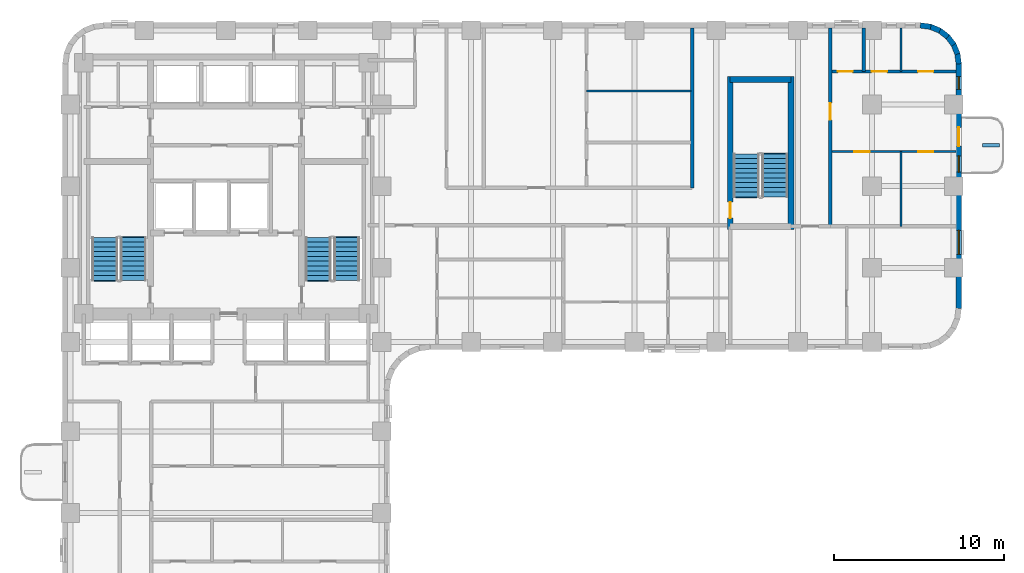
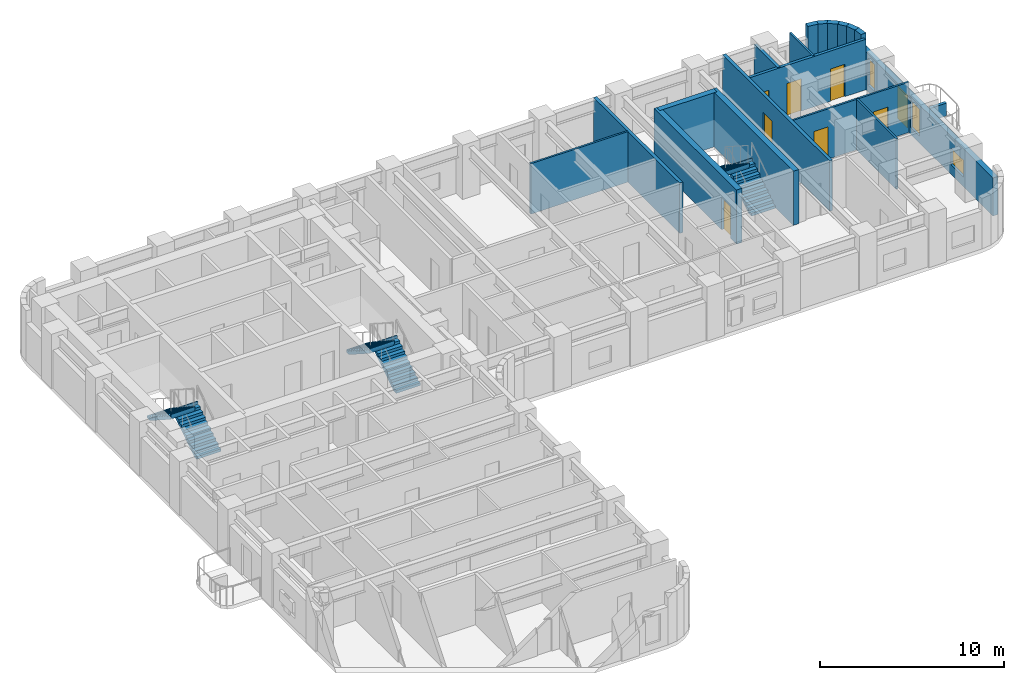
# One storey, part 7 of 10: 19 walls, 8 doors, 6 stair flights, 3 windows, 11 openings, 3 elements without a shape of their own.
"""IFC4 building model written with IfcOpenShell, lengths in metres."""

from ifc_helpers import new_model, si_unit, direction, frame, frame_2d, origin, place, context, subcontext, project, spatial, polyline, rectangle, outline, extrude, material, layer, layer_set, type_object, element, fill, aggregate, save


model = new_model("IFC4")

# Units and contexts
model_context = context("Model", 3, precision=1e-05, world=origin(), true_north=direction((0.0, 1.0)))
body_context = subcontext(model_context, "Body", "Model", "MODEL_VIEW")
ifc_project = project(units=[si_unit("LENGTHUNIT", "METRE"), si_unit("AREAUNIT", "SQUARE_METRE"), si_unit("VOLUMEUNIT", "CUBIC_METRE"), si_unit("PLANEANGLEUNIT", "RADIAN"), si_unit("MASSUNIT", "GRAM", prefix="KILO")], contexts=[model_context])

# Site, building, storey
site_placement = place(None, origin())
site = spatial("IfcSite", under=ifc_project, at=site_placement, CompositionType="ELEMENT")
building_placement = place(site_placement, origin())
building = spatial("IfcBuilding", under=site, at=building_placement, Name="Orvandelia Arch Residences", CompositionType="ELEMENT")
storey_placement = place(building_placement, frame((0.0, 0.0, 75.39990234375)))
storey = spatial("IfcBuildingStorey", under=building, at=storey_placement, Name="L19", CompositionType="ELEMENT", Elevation=75.39990234375)

# Wall, opening, door
ifc_material_1 = material(Name="Concrete C50/60", Category="concrete")
ifc_layer_1 = layer(ifc_material_1, 0.35009765625, Name="Concrete C50/60", Category="concrete")
ifc_layer_set_1 = layer_set([ifc_layer_1], Name="Concrete C50/60")
wall_type_1 = type_object("IfcWallType", Name="WL-CORE-350", PredefinedType="SHEAR", material=ifc_layer_set_1)
wall_1_placement = place(storey_placement, frame((44.02001953125, 35.864990234375, 0.0), z_axis=(0.0, 0.0, 1.0), x_axis=(0.0, 1.0, 0.0)))
wall_1 = element("IfcWall", 1, at=wall_1_placement, inside=storey, type_object=wall_type_1, Name="East Stair Core Shear Wall L19-W", PredefinedType="SHEAR", context=body_context, shape_type="SweptSolid", body=[
    extrude(rectangle(XDim=8.969970703125, YDim=0.35009765625, at=frame_2d((4.48486328125, 0.0))), origin(), (0.0, 0.0, 1.0), 3.60009765625),
])
opening_1_placement = place(wall_1_placement, frame((0.64990234375, 0.0, 0.0)))
opening_1 = element("IfcOpeningElement", 2, at=opening_1_placement, cuts=wall_1, Name="Opening D7", PredefinedType="OPENING", context=body_context, shape_type="SweptSolid", body=[
    extrude(rectangle(XDim=0.949951171875, YDim=2.10009765625, at=frame_2d((0.47509765625, 1.050048828125))), frame((0.0, 0.18505859375, 0.0), z_axis=(0.0, -1.0, 0.0), x_axis=(1.0, 0.0, 0.0)), (0.0, 0.0, 1.0), 0.3701171875),
])
ifc_material_2 = material(Name="Pressurised Stairwell Fire Door")
door_type_1 = type_object("IfcDoorType", Name="DR-STAIR-950", OperationType="NOTDEFINED", PredefinedType="DOOR", material=ifc_material_2)
door_1_placement = place(opening_1_placement, origin())
door_1 = element("IfcDoor", 3, at=door_1_placement, inside=storey, type_object=door_type_1, Name="East Stairwell ST-3 Fire Door L19", OperationType="SINGLE_SWING_LEFT", OverallHeight=2.10009765625, OverallWidth=0.949951171875, PredefinedType="DOOR", context=body_context, shape_type="SweptSolid", body=[
    extrude(rectangle(XDim=0.949951171875, YDim=2.10009765625, at=frame_2d((0.47509765625, 1.050048828125))), frame((0.0, 0.02490234375, 0.0), z_axis=(0.0, -1.0, 0.0), x_axis=(1.0, 0.0, 0.0)), (0.0, 0.0, 1.0), 0.050048828125),
])
fill(opening_1, door_1)

# Walls
wall_2_placement = place(storey_placement, frame((47.60009765625, 35.864990234375, 0.0), z_axis=(0.0, 0.0, 1.0), x_axis=(0.0, 1.0, 0.0)))
element("IfcWall", 4, at=wall_2_placement, inside=storey, type_object=wall_type_1, Name="East Stair Core Shear Wall L19-E", PredefinedType="SHEAR", context=body_context, shape_type="SweptSolid", body=[
    extrude(rectangle(XDim=8.969970703125, YDim=0.35009765625, at=frame_2d((4.48486328125, 0.0))), origin(), (0.0, 0.0, 1.0), 3.60009765625),
])
wall_3_placement = place(storey_placement, frame((44.02001953125, 44.659912109375, 0.0), z_axis=(0.0, 0.0, 1.0), x_axis=(1.0, 0.0, 0.0)))
element("IfcWall", 5, at=wall_3_placement, inside=storey, type_object=wall_type_1, Name="East Stair Core Shear Wall L19-N", PredefinedType="SHEAR", context=body_context, shape_type="SweptSolid", body=[
    extrude(rectangle(XDim=3.580078125, YDim=0.35009765625, at=frame_2d((1.7900390625, 0.0))), origin(), (0.0, 0.0, 1.0), 3.60009765625),
])
ifc_material_3 = material(Name="Fire-Rated Corridor Partition")
ifc_layer_2 = layer(ifc_material_3, 0.199951171875, Name="Fire-Rated Corridor Partition")
ifc_layer_set_2 = layer_set([ifc_layer_2], Name="Fire-Rated Corridor Partition")
wall_type_2 = type_object("IfcWallType", Name="WL-CORR-200", PredefinedType="PARTITIONING", material=ifc_layer_set_2)
wall_4_placement = place(storey_placement, frame((41.780029296875, 38.300048828125, 0.0), z_axis=(0.0, 0.0, 1.0), x_axis=(0.0, 1.0, 0.0)))
element("IfcWall", 6, at=wall_4_placement, inside=storey, type_object=wall_type_2, Name="Interior Partition Wall WL-L19-ETV-W", PredefinedType="PARTITIONING", context=body_context, shape_type="SweptSolid", body=[
    extrude(rectangle(XDim=9.3798828125, YDim=0.199951171875, at=frame_2d((4.68994140625, 0.0))), origin(), (0.0, 0.0, 1.0), 3.35009765625),
])

# Wall, opening, door
wall_5_placement = place(storey_placement, frame((49.89990234375, 36.0400390625, 0.0), z_axis=(0.0, 0.0, 1.0), x_axis=(0.0, 1.0, 0.0)))
wall_5 = element("IfcWall", 7, at=wall_5_placement, inside=storey, type_object=wall_type_2, Name="Interior Partition Wall WL-L19-ETE-E", PredefinedType="PARTITIONING", context=body_context, shape_type="SweptSolid", body=[
    extrude(rectangle(XDim=11.639892578125, YDim=0.199951171875, at=frame_2d((5.81982421875, 0.0))), origin(), (0.0, 0.0, 1.0), 3.35009765625),
])
opening_2_placement = place(wall_5_placement, frame((6.25146484375, 0.0, 0.0)))
opening_2 = element("IfcOpeningElement", 8, at=opening_2_placement, cuts=wall_5, Name="Opening D1", PredefinedType="OPENING", context=body_context, shape_type="SweptSolid", body=[
    extrude(rectangle(XDim=0.97998046875, YDim=2.179931640625, at=frame_2d((0.489990234375, 1.08984375))), frame((0.0, 0.10986328125, 0.0), z_axis=(0.0, -1.0, 0.0), x_axis=(1.0, 0.0, 0.0)), (0.0, 0.0, 1.0), 0.219970703125),
])
ifc_material_4 = material(Name="Solid-Core Timber Acoustic Fire Door", Category="wood")
door_type_2 = type_object("IfcDoorType", Name="DR-ENT-980", OperationType="NOTDEFINED", PredefinedType="DOOR", material=ifc_material_4)
door_2_placement = place(opening_2_placement, origin())
door_2 = element("IfcDoor", 9, at=door_2_placement, inside=storey, type_object=door_type_2, Name="Unit L19-07 Entrance Door", OperationType="SINGLE_SWING_LEFT", OverallHeight=2.179931640625, OverallWidth=0.97998046875, PredefinedType="DOOR", context=body_context, shape_type="SweptSolid", body=[
    extrude(rectangle(XDim=0.97998046875, YDim=2.179931640625, at=frame_2d((0.489990234375, 1.08984375))), frame((0.0, 0.02490234375, 0.0), z_axis=(0.0, -1.0, 0.0), x_axis=(1.0, 0.0, 0.0)), (0.0, 0.0, 1.0), 0.050048828125),
])
fill(opening_2, door_2)

# Walls
ifc_material_5 = material(Name="Precast concrete C40/50", Category="concrete")
ifc_layer_3 = layer(ifc_material_5, 0.320068359375, Name="Precast concrete C40/50", Category="concrete")
ifc_layer_set_3 = layer_set([ifc_layer_3], Name="Precast concrete C40/50")
wall_type_3 = type_object("IfcWallType", Name="WL-EXT-STONE-320", PredefinedType="STANDARD", material=ifc_layer_set_3)
for number, where, z_axis, x_axis, name in (
    (10, (55.17919921875, 47.84130859375, 0.0), (0.0, 0.0, 1.0), (0.9914410257, -0.130555323746, 0.0), "Coral-Limestone Precast Facade Wall L19-008"),
    (11, (55.760009765625, 47.7705078125, 0.0), (0.0, 0.0, 1.0), (0.92389335771, -0.382650053678, 0.0), "Coral-Limestone Precast Facade Wall L19-009"),
):
    element("IfcWall", number, at=place(storey_placement, frame(where, z_axis=z_axis, x_axis=x_axis)), inside=storey, type_object=wall_type_3, Name=name, PredefinedType="STANDARD", context=body_context, shape_type="SweptSolid", body=[
        extrude(rectangle(XDim=0.62646484375, YDim=0.320068359375, at=frame_2d((0.313232421875, 0.0))), origin(), (0.0, 0.0, 1.0), 3.35009765625),
    ])
wall_6_placement = place(storey_placement, frame((56.302490234375, 47.551513671875, 0.0), z_axis=(0.0, 0.0, 1.0), x_axis=(0.793549926411, -0.608505147302, 0.0)))
element("IfcWall", 12, at=wall_6_placement, inside=storey, type_object=wall_type_3, Name="Coral-Limestone Precast Facade Wall L19-010", PredefinedType="STANDARD", context=body_context, shape_type="SweptSolid", body=[
    extrude(rectangle(XDim=0.626708984375, YDim=0.320068359375, at=frame_2d((0.3134765625, 0.0))), origin(), (0.0, 0.0, 1.0), 3.35009765625),
])
for number, where, z_axis, x_axis, name in (
    (13, (56.770263671875, 47.19970703125, 0.0), (0.0, 0.0, 1.0), (0.608693302629, -0.793405610854, 0.0), "Coral-Limestone Precast Facade Wall L19-011"),
    (14, (57.130615234375, 46.73876953125, 0.0), (0.0, 0.0, 1.0), (0.382650053678, -0.92389335771, 0.0), "Coral-Limestone Precast Facade Wall L19-012"),
    (15, (57.359619140625, 46.2001953125, 0.0), (0.0, 0.0, 1.0), (0.130555323746, -0.9914410257, 0.0), "Coral-Limestone Precast Facade Wall L19-013"),
):
    element("IfcWall", number, at=place(storey_placement, frame(where, z_axis=z_axis, x_axis=x_axis)), inside=storey, type_object=wall_type_3, Name=name, PredefinedType="STANDARD", context=body_context, shape_type="SweptSolid", body=[
        extrude(rectangle(XDim=0.62646484375, YDim=0.320068359375, at=frame_2d((0.313232421875, 0.0))), origin(), (0.0, 0.0, 1.0), 3.35009765625),
    ])

# Wall, openings, door, windows
wall_7_placement = place(storey_placement, frame((57.43994140625, 45.60009765625, 0.0), z_axis=(0.0, 0.0, 1.0), x_axis=(0.0, -1.0, 0.0)))
wall_7 = element("IfcWall", 16, at=wall_7_placement, inside=storey, type_object=wall_type_3, Name="Coral-Limestone Precast Facade Wall L19-014", PredefinedType="STANDARD", context=body_context, shape_type="SweptSolid", body=[
    extrude(rectangle(XDim=14.400146484375, YDim=0.320068359375, at=frame_2d((7.2001953125, 0.0))), origin(), (0.0, 0.0, 1.0), 2.530029296875),
])
opening_3_placement = place(wall_7_placement, frame((3.75, 0.0, 0.0)))
opening_3 = element("IfcOpeningElement", 17, at=opening_3_placement, cuts=wall_7, Name="Opening BD1", PredefinedType="OPENING", context=body_context, shape_type="SweptSolid", body=[
    extrude(rectangle(XDim=1.10009765625, YDim=2.14990234375, at=frame_2d((0.550048828125, 1.074951171875))), frame((0.0, 0.169921875, 0.0), z_axis=(0.0, -1.0, 0.0), x_axis=(1.0, 0.0, 0.0)), (0.0, 0.0, 1.0), 0.340087890625),
])
opening_4_placement = place(wall_7_placement, frame((5.427978515625, 0.0, 0.449951171875)))
opening_4 = element("IfcOpeningElement", 18, at=opening_4_placement, cuts=wall_7, Name="Opening W4", PredefinedType="OPENING", context=body_context, shape_type="SweptSolid", body=[
    extrude(rectangle(XDim=0.949951171875, YDim=1.800048828125, at=frame_2d((0.47509765625, 0.89990234375))), frame((0.0, 0.169921875, 0.0), z_axis=(0.0, -1.0, 0.0), x_axis=(1.0, 0.0, 0.0)), (0.0, 0.0, 1.0), 0.340087890625),
])
opening_5_placement = place(wall_7_placement, frame((9.800048828125, 0.0, 0.64990234375)))
opening_5 = element("IfcOpeningElement", 19, at=opening_5_placement, cuts=wall_7, Name="Opening W10", PredefinedType="OPENING", context=body_context, shape_type="SweptSolid", body=[
    extrude(rectangle(XDim=1.39990234375, YDim=1.10009765625, at=frame_2d((0.699951171875, 0.550048828125))), frame((0.0, 0.169921875, 0.0), z_axis=(0.0, -1.0, 0.0), x_axis=(1.0, 0.0, 0.0)), (0.0, 0.0, 1.0), 0.340087890625),
])
opening_6_placement = place(wall_7_placement, frame((0.7705078125, 0.0, 0.449951171875)))
opening_6 = element("IfcOpeningElement", 20, at=opening_6_placement, cuts=wall_7, Name="Opening W11", PredefinedType="OPENING", context=body_context, shape_type="SweptSolid", body=[
    extrude(rectangle(XDim=0.75, YDim=1.800048828125, at=frame_2d((0.375, 0.89990234375))), frame((0.0, 0.169921875, 0.0), z_axis=(0.0, -1.0, 0.0), x_axis=(1.0, 0.0, 0.0)), (0.0, 0.0, 1.0), 0.340087890625),
])
ifc_material_6 = material(Name="Thermally Broken Aluminium Glazed Door", Category="aluminium")
door_type_3 = type_object("IfcDoorType", Name="DR-BAL-GLAZ-1100", OperationType="NOTDEFINED", PredefinedType="DOOR", material=ifc_material_6)
door_3_placement = place(opening_3_placement, origin())
door_3 = element("IfcDoor", 21, at=door_3_placement, inside=storey, type_object=door_type_3, Name="Tree Balcony Glazed Door BAL-L19-E1", OperationType="SINGLE_SWING_LEFT", OverallHeight=2.14990234375, OverallWidth=1.10009765625, PredefinedType="DOOR", context=body_context, shape_type="SweptSolid", body=[
    extrude(rectangle(XDim=1.10009765625, YDim=2.14990234375, at=frame_2d((0.550048828125, 1.074951171875))), frame((0.0, 0.02490234375, 0.0), z_axis=(0.0, -1.0, 0.0), x_axis=(1.0, 0.0, 0.0)), (0.0, 0.0, 1.0), 0.050048828125),
])
fill(opening_3, door_3)
ifc_material_7 = material(Name="Tempered Low-E Insulated Glazing", Category="glass")
window_type_1 = type_object("IfcWindowType", Name="WIN-BED-0750x1800", PartitioningType="SINGLE_PANEL", PredefinedType="WINDOW", material=ifc_material_7)
window_1_placement = place(opening_6_placement, origin())
window_1 = element("IfcWindow", 22, at=window_1_placement, inside=storey, type_object=window_type_1, Name="Recessed Punched Window L19-013", OverallHeight=1.800048828125, OverallWidth=0.75, PartitioningType="SINGLE_PANEL", PredefinedType="WINDOW", context=body_context, shape_type="SweptSolid", body=[
    extrude(rectangle(XDim=0.75, YDim=1.800048828125, at=frame_2d((0.375, 0.89990234375))), frame((0.0, 0.030029296875, 0.0), z_axis=(0.0, -1.0, 0.0), x_axis=(1.0, 0.0, 0.0)), (0.0, 0.0, 1.0), 0.06005859375),
])
fill(opening_6, window_1)
window_type_2 = type_object("IfcWindowType", Name="WIN-CLR-1400x1100", PartitioningType="SINGLE_PANEL", PredefinedType="WINDOW", material=ifc_material_7)
window_2_placement = place(opening_5_placement, origin())
window_2 = element("IfcWindow", 23, at=window_2_placement, inside=storey, type_object=window_type_2, Name="Recessed Punched Window L19-012", OverallHeight=1.10009765625, OverallWidth=1.39990234375, PartitioningType="SINGLE_PANEL", PredefinedType="WINDOW", context=body_context, shape_type="SweptSolid", body=[
    extrude(rectangle(XDim=1.39990234375, YDim=1.10009765625, at=frame_2d((0.699951171875, 0.550048828125))), frame((0.0, 0.030029296875, 0.0), z_axis=(0.0, -1.0, 0.0), x_axis=(1.0, 0.0, 0.0)), (0.0, 0.0, 1.0), 0.06005859375),
])
fill(opening_5, window_2)
window_type_3 = type_object("IfcWindowType", Name="WIN-RES-0950x1800", PartitioningType="SINGLE_PANEL", PredefinedType="WINDOW", material=ifc_material_7)
window_3_placement = place(opening_4_placement, origin())
window_3 = element("IfcWindow", 24, at=window_3_placement, inside=storey, type_object=window_type_3, Name="Recessed Punched Window L19-011", OverallHeight=1.800048828125, OverallWidth=0.949951171875, PartitioningType="SINGLE_PANEL", PredefinedType="WINDOW", context=body_context, shape_type="SweptSolid", body=[
    extrude(rectangle(XDim=0.949951171875, YDim=1.800048828125, at=frame_2d((0.47509765625, 0.89990234375))), frame((0.0, 0.030029296875, 0.0), z_axis=(0.0, -1.0, 0.0), x_axis=(1.0, 0.0, 0.0)), (0.0, 0.0, 1.0), 0.06005859375),
])
fill(opening_4, window_3)

# Wall
ifc_material_8 = material(Name="Lightweight Gypsum Stud Partition")
ifc_layer_4 = layer(ifc_material_8, 0.1201171875, Name="Lightweight Gypsum Stud Partition")
ifc_layer_set_4 = layer_set([ifc_layer_4], Name="Lightweight Gypsum Stud Partition")
wall_type_4 = type_object("IfcWallType", Name="WL-PART-120", PredefinedType="PARTITIONING", material=ifc_layer_set_4)
wall_8_placement = place(storey_placement, frame((35.576904296875, 43.99609375, 0.0), z_axis=(0.0, 0.0, 1.0), x_axis=(1.0, 0.0, 0.0)))
element("IfcWall", 25, at=wall_8_placement, inside=storey, type_object=wall_type_4, Name="Interior Partition Wall WL-L19-U06-H2", PredefinedType="PARTITIONING", context=body_context, shape_type="SweptSolid", body=[
    extrude(rectangle(XDim=6.123046875, YDim=0.1201171875, at=frame_2d((3.0615234375, 0.0))), origin(), (0.0, 0.0, 1.0), 3.35009765625),
])

# Wall, openings, doors
wall_9_placement = place(storey_placement, frame((50.0, 40.424072265625, 0.0), z_axis=(0.0, 0.0, 1.0), x_axis=(1.0, 0.0, 0.0)))
wall_9 = element("IfcWall", 26, at=wall_9_placement, inside=storey, type_object=wall_type_4, Name="Interior Partition Wall WL-L19-U07-HB", PredefinedType="PARTITIONING", context=body_context, shape_type="SweptSolid", body=[
    extrude(rectangle(XDim=7.280029296875, YDim=0.1201171875, at=frame_2d((3.64013671875, 0.0))), origin(), (0.0, 0.0, 1.0), 3.35009765625),
])
opening_7_placement = place(wall_9_placement, frame((1.30419921875, 0.0, 0.0)))
opening_7 = element("IfcOpeningElement", 27, at=opening_7_placement, cuts=wall_9, Name="Opening D3", PredefinedType="OPENING", context=body_context, shape_type="SweptSolid", body=[
    extrude(rectangle(XDim=0.89990234375, YDim=2.14990234375, at=frame_2d((0.449951171875, 1.074951171875))), frame((0.0, 0.070068359375, 0.0), z_axis=(0.0, -1.0, 0.0), x_axis=(1.0, 0.0, 0.0)), (0.0, 0.0, 1.0), 0.14013671875),
])
opening_8_placement = place(wall_9_placement, frame((5.056884765625, 0.0, 0.0)))
opening_8 = element("IfcOpeningElement", 28, at=opening_8_placement, cuts=wall_9, Name="Opening D3", PredefinedType="OPENING", context=body_context, shape_type="SweptSolid", body=[
    extrude(rectangle(XDim=0.89990234375, YDim=2.14990234375, at=frame_2d((0.449951171875, 1.074951171875))), frame((0.0, 0.070068359375, 0.0), z_axis=(0.0, -1.0, 0.0), x_axis=(1.0, 0.0, 0.0)), (0.0, 0.0, 1.0), 0.14013671875),
])
ifc_material_9 = material(Name="Engineered Timber Flush Door", Category="wood")
door_type_4 = type_object("IfcDoorType", Name="DR-INT-900", OperationType="NOTDEFINED", PredefinedType="DOOR", material=ifc_material_9)
door_4_placement = place(opening_7_placement, origin())
door_4 = element("IfcDoor", 29, at=door_4_placement, inside=storey, type_object=door_type_4, Name="DR-L19-U07-STDY", OperationType="SINGLE_SWING_LEFT", OverallHeight=2.14990234375, OverallWidth=0.89990234375, PredefinedType="DOOR", context=body_context, shape_type="SweptSolid", body=[
    extrude(rectangle(XDim=0.89990234375, YDim=2.14990234375, at=frame_2d((0.449951171875, 1.074951171875))), frame((0.0, 0.02490234375, 0.0), z_axis=(0.0, -1.0, 0.0), x_axis=(1.0, 0.0, 0.0)), (0.0, 0.0, 1.0), 0.050048828125),
])
fill(opening_7, door_4)
door_5_placement = place(opening_8_placement, origin())
door_5 = element("IfcDoor", 30, at=door_5_placement, inside=storey, type_object=door_type_4, Name="DR-L19-U07-BD2", OperationType="SINGLE_SWING_RIGHT", OverallHeight=2.14990234375, OverallWidth=0.89990234375, PredefinedType="DOOR", context=body_context, shape_type="SweptSolid", body=[
    extrude(rectangle(XDim=0.89990234375, YDim=2.14990234375, at=frame_2d((0.449951171875, 1.074951171875))), frame((0.0, 0.02490234375, 0.0), z_axis=(0.0, -1.0, 0.0), x_axis=(1.0, 0.0, 0.0)), (0.0, 0.0, 1.0), 0.050048828125),
])
fill(opening_8, door_5)

# Walls
wall_10_placement = place(storey_placement, frame((54.048095703125, 36.0400390625, 0.0), z_axis=(0.0, 0.0, 1.0), x_axis=(0.0, 1.0, 0.0)))
element("IfcWall", 31, at=wall_10_placement, inside=storey, type_object=wall_type_4, Name="Interior Partition Wall WL-L19-U07-VB", PredefinedType="PARTITIONING", context=body_context, shape_type="SweptSolid", body=[
    extrude(rectangle(XDim=4.384033203125, YDim=0.1201171875, at=frame_2d((2.19189453125, 0.0))), origin(), (0.0, 0.0, 1.0), 3.35009765625),
])
wall_11_placement = place(storey_placement, frame((54.048095703125, 45.138916015625, 0.0), z_axis=(0.0, 0.0, 1.0), x_axis=(0.0, 1.0, 0.0)))
element("IfcWall", 32, at=wall_11_placement, inside=storey, type_object=wall_type_4, Name="Interior Partition Wall WL-L19-U07-V2", PredefinedType="PARTITIONING", context=body_context, shape_type="SweptSolid", body=[
    extrude(rectangle(XDim=2.541015625, YDim=0.1201171875, at=frame_2d((1.2705078125, 0.0))), origin(), (0.0, 0.0, 1.0), 3.35009765625),
])
ifc_layer_5 = layer(ifc_material_5, 0.199951171875, Name="Precast concrete C40/50", Category="concrete")
ifc_layer_set_5 = layer_set([ifc_layer_5], Name="Precast concrete C40/50")
wall_type_5 = type_object("IfcWallType", Name="WL-PLANTER-200", PredefinedType="MOVABLE", material=ifc_layer_set_5)
wall_12_placement = place(storey_placement, frame((58.85009765625, 40.800048828125, 0.0), z_axis=(0.0, 0.0, 1.0), x_axis=(1.0, 0.0, 0.0)))
element("IfcWall", 33, at=wall_12_placement, inside=storey, type_object=wall_type_5, Name="Balcony Precast Tree Planter BAL-L19-E1", PredefinedType="MOVABLE", context=body_context, shape_type="SweptSolid", body=[
    extrude(rectangle(XDim=1.0, YDim=0.199951171875, at=frame_2d((0.5, 0.0))), origin(), (0.0, 0.0, 1.0), 0.85009765625),
])

# Wall, openings, doors
ifc_material_10 = material(Name="Moisture-Resistant Plumbing Wall")
ifc_layer_6 = layer(ifc_material_10, 0.179931640625, Name="Moisture-Resistant Plumbing Wall")
ifc_layer_set_6 = layer_set([ifc_layer_6], Name="Moisture-Resistant Plumbing Wall")
wall_type_6 = type_object("IfcWallType", Name="WL-WET-180", PredefinedType="PLUMBINGWALL", material=ifc_layer_set_6)
wall_13_placement = place(storey_placement, frame((50.0, 45.138916015625, 0.0), z_axis=(0.0, 0.0, 1.0), x_axis=(1.0, 0.0, 0.0)))
wall_13 = element("IfcWall", 34, at=wall_13_placement, inside=storey, type_object=wall_type_6, Name="Interior Partition Wall WL-L19-U07-HZ", PredefinedType="PLUMBINGWALL", context=body_context, shape_type="SweptSolid", body=[
    extrude(rectangle(XDim=7.280029296875, YDim=0.179931640625, at=frame_2d((3.64013671875, 0.0))), origin(), (0.0, 0.0, 1.0), 3.35009765625),
])
opening_9_placement = place(wall_13_placement, frame((0.343017578125, 0.0, 0.0)))
opening_9 = element("IfcOpeningElement", 35, at=opening_9_placement, cuts=wall_13, Name="Opening D4", PredefinedType="OPENING", context=body_context, shape_type="SweptSolid", body=[
    extrude(rectangle(XDim=0.860107421875, YDim=2.10009765625, at=frame_2d((0.43017578125, 1.050048828125))), frame((0.0, 0.10009765625, 0.0), z_axis=(0.0, -1.0, 0.0), x_axis=(1.0, 0.0, 0.0)), (0.0, 0.0, 1.0), 0.199951171875),
])
opening_10_placement = place(wall_13_placement, frame((2.328125, 0.0, 0.0)))
opening_10 = element("IfcOpeningElement", 36, at=opening_10_placement, cuts=wall_13, Name="Opening D3", PredefinedType="OPENING", context=body_context, shape_type="SweptSolid", body=[
    extrude(rectangle(XDim=0.89990234375, YDim=2.14990234375, at=frame_2d((0.449951171875, 1.074951171875))), frame((0.0, 0.10009765625, 0.0), z_axis=(0.0, -1.0, 0.0), x_axis=(1.0, 0.0, 0.0)), (0.0, 0.0, 1.0), 0.199951171875),
])
opening_11_placement = place(wall_13_placement, frame((5.056884765625, 0.0, 0.0)))
opening_11 = element("IfcOpeningElement", 37, at=opening_11_placement, cuts=wall_13, Name="Opening D3", PredefinedType="OPENING", context=body_context, shape_type="SweptSolid", body=[
    extrude(rectangle(XDim=0.89990234375, YDim=2.14990234375, at=frame_2d((0.449951171875, 1.074951171875))), frame((0.0, 0.10009765625, 0.0), z_axis=(0.0, -1.0, 0.0), x_axis=(1.0, 0.0, 0.0)), (0.0, 0.0, 1.0), 0.199951171875),
])
door_6_placement = place(opening_10_placement, origin())
door_6 = element("IfcDoor", 38, at=door_6_placement, inside=storey, type_object=door_type_4, Name="DR-L19-U07-KIT", OperationType="SINGLE_SWING_LEFT", OverallHeight=2.14990234375, OverallWidth=0.89990234375, PredefinedType="DOOR", context=body_context, shape_type="SweptSolid", body=[
    extrude(rectangle(XDim=0.89990234375, YDim=2.14990234375, at=frame_2d((0.449951171875, 1.074951171875))), frame((0.0, 0.02490234375, 0.0), z_axis=(0.0, -1.0, 0.0), x_axis=(1.0, 0.0, 0.0)), (0.0, 0.0, 1.0), 0.050048828125),
])
fill(opening_10, door_6)
door_7_placement = place(opening_11_placement, origin())
door_7 = element("IfcDoor", 39, at=door_7_placement, inside=storey, type_object=door_type_4, Name="DR-L19-U07-BD1", OperationType="SINGLE_SWING_RIGHT", OverallHeight=2.14990234375, OverallWidth=0.89990234375, PredefinedType="DOOR", context=body_context, shape_type="SweptSolid", body=[
    extrude(rectangle(XDim=0.89990234375, YDim=2.14990234375, at=frame_2d((0.449951171875, 1.074951171875))), frame((0.0, 0.02490234375, 0.0), z_axis=(0.0, -1.0, 0.0), x_axis=(1.0, 0.0, 0.0)), (0.0, 0.0, 1.0), 0.050048828125),
])
fill(opening_11, door_7)
ifc_material_11 = material(Name="Moisture-Sealed Timber Bathroom Door", Category="wood")
door_type_5 = type_object("IfcDoorType", Name="DR-WET-900", OperationType="NOTDEFINED", PredefinedType="DOOR", material=ifc_material_11)
door_8_placement = place(opening_9_placement, origin())
door_8 = element("IfcDoor", 40, at=door_8_placement, inside=storey, type_object=door_type_5, Name="DR-L19-U07-BTH", OperationType="SINGLE_SWING_RIGHT", OverallHeight=2.10009765625, OverallWidth=0.860107421875, PredefinedType="DOOR", context=body_context, shape_type="SweptSolid", body=[
    extrude(rectangle(XDim=0.860107421875, YDim=2.10009765625, at=frame_2d((0.43017578125, 1.050048828125))), frame((0.0, 0.02490234375, 0.0), z_axis=(0.0, -1.0, 0.0), x_axis=(1.0, 0.0, 0.0)), (0.0, 0.0, 1.0), 0.050048828125),
])
fill(opening_9, door_8)

# Wall
wall_14_placement = place(storey_placement, frame((51.862060546875, 45.138916015625, 0.0), z_axis=(0.0, 0.0, 1.0), x_axis=(0.0, 1.0, 0.0)))
element("IfcWall", 41, at=wall_14_placement, inside=storey, type_object=wall_type_6, Name="Interior Partition Wall WL-L19-U07-V1", PredefinedType="PLUMBINGWALL", context=body_context, shape_type="SweptSolid", body=[
    extrude(rectangle(XDim=2.541015625, YDim=0.179931640625, at=frame_2d((1.2705078125, 0.0))), origin(), (0.0, 0.0, 1.0), 3.35009765625),
])

# Stair, stair flights
ifc_material_12 = material(Name="Concrete C40/50", Category="concrete")
stair_type = type_object("IfcStairType", Name="STAIR-RC-DOGLEG", PredefinedType="HALF_TURN_STAIR", material=ifc_material_12)
stair_1_placement = place(storey_placement, origin())
stair_1 = element("IfcStair", 42, at=stair_1_placement, inside=storey, type_object=stair_type, Name="L19 Protected Exit Stair ST-1", PredefinedType="HALF_TURN_STAIR")
stair_flight_type = type_object("IfcStairFlightType", Name="STFLT-RC-1520", PredefinedType="STRAIGHT", material=ifc_material_12)
stair_flight_1_placement = place(storey_placement, frame((8.9599609375, 32.8701171875, 0.0), z_axis=(0.0, 0.0, 1.0), x_axis=(0.0, 1.0, 0.0)))
stair_flight_1 = element("IfcStairFlight", 43, at=stair_flight_1_placement, type_object=stair_flight_type, Name="ST-1 flight 1", NumberOfRisers=10, NumberOfTreads=9, PredefinedType="STRAIGHT", RiserHeight=0.18, TreadLength=0.28, context=body_context, shape_type="SweptSolid", body=[
    extrude(outline(polyline([(0.0, 0.0), (0.0, 0.179931640625), (0.280029296875, 0.179931640625), (0.280029296875, 0.360107421875), (0.56005859375, 0.360107421875), (0.56005859375, 0.5400390625), (0.840087890625, 0.5400390625), (0.840087890625, 0.719970703125), (1.1201171875, 0.719970703125), (1.1201171875, 0.89990234375), (1.39990234375, 0.89990234375), (1.39990234375, 1.080078125), (1.679931640625, 1.080078125), (1.679931640625, 1.260009765625), (1.9599609375, 1.260009765625), (1.9599609375, 1.43994140625), (2.239990234375, 1.43994140625), (2.239990234375, 1.6201171875), (2.52001953125, 1.6201171875), (2.52001953125, 1.800048828125), (2.580078125, 1.800048828125), (2.580078125, 1.6201171875), (2.52001953125, 1.44189453125), (0.277099609375, 0.0), (0.0, 0.0)])), frame((0.0, 0.760009765625, 0.0), z_axis=(0.0, -1.0, 0.0), x_axis=(1.0, 0.0, 0.0)), (0.0, 0.0, 1.0), 1.52001953125),
])
stair_flight_2_placement = place(storey_placement, frame((7.2900390625, 35.389892578125, 1.800048828125), z_axis=(0.0, 0.0, 1.0), x_axis=(0.0, -1.0, 0.0)))
stair_flight_2 = element("IfcStairFlight", 44, at=stair_flight_2_placement, type_object=stair_flight_type, Name="ST-1 flight 2", NumberOfRisers=10, NumberOfTreads=9, PredefinedType="STRAIGHT", RiserHeight=0.18, TreadLength=0.28, context=body_context, shape_type="SweptSolid", body=[
    extrude(outline(polyline([(0.0, 0.0), (0.0, 0.179931640625), (0.280029296875, 0.179931640625), (0.280029296875, 0.360107421875), (0.56005859375, 0.360107421875), (0.56005859375, 0.5400390625), (0.840087890625, 0.5400390625), (0.840087890625, 0.719970703125), (1.1201171875, 0.719970703125), (1.1201171875, 0.89990234375), (1.39990234375, 0.89990234375), (1.39990234375, 1.080078125), (1.679931640625, 1.080078125), (1.679931640625, 1.260009765625), (1.9599609375, 1.260009765625), (1.9599609375, 1.43994140625), (2.239990234375, 1.43994140625), (2.239990234375, 1.6201171875), (2.52001953125, 1.6201171875), (2.52001953125, 1.800048828125), (2.580078125, 1.800048828125), (2.580078125, 1.6201171875), (2.52001953125, 1.44189453125), (0.277099609375, 0.0), (0.0, 0.0)])), frame((0.0, 0.760009765625, 0.0), z_axis=(0.0, -1.0, 0.0), x_axis=(1.0, 0.0, 0.0)), (0.0, 0.0, 1.0), 1.52001953125),
])
aggregate(stair_1, [stair_flight_1, stair_flight_2])

stair_2_placement = place(storey_placement, origin())
stair_2 = element("IfcStair", 45, at=stair_2_placement, inside=storey, type_object=stair_type, Name="L19 Protected Exit Stair ST-2", PredefinedType="HALF_TURN_STAIR")
stair_flight_3_placement = place(storey_placement, frame((21.489990234375, 32.8701171875, 0.0), z_axis=(0.0, 0.0, 1.0), x_axis=(0.0, 1.0, 0.0)))
stair_flight_3 = element("IfcStairFlight", 46, at=stair_flight_3_placement, type_object=stair_flight_type, Name="ST-2 flight 1", NumberOfRisers=10, NumberOfTreads=9, PredefinedType="STRAIGHT", RiserHeight=0.18, TreadLength=0.28, context=body_context, shape_type="SweptSolid", body=[
    extrude(outline(polyline([(0.0, 0.0), (0.0, 0.179931640625), (0.280029296875, 0.179931640625), (0.280029296875, 0.360107421875), (0.56005859375, 0.360107421875), (0.56005859375, 0.5400390625), (0.840087890625, 0.5400390625), (0.840087890625, 0.719970703125), (1.1201171875, 0.719970703125), (1.1201171875, 0.89990234375), (1.39990234375, 0.89990234375), (1.39990234375, 1.080078125), (1.679931640625, 1.080078125), (1.679931640625, 1.260009765625), (1.9599609375, 1.260009765625), (1.9599609375, 1.43994140625), (2.239990234375, 1.43994140625), (2.239990234375, 1.6201171875), (2.52001953125, 1.6201171875), (2.52001953125, 1.800048828125), (2.580078125, 1.800048828125), (2.580078125, 1.6201171875), (2.52001953125, 1.44189453125), (0.277099609375, 0.0), (0.0, 0.0)])), frame((0.0, 0.760009765625, 0.0), z_axis=(0.0, -1.0, 0.0), x_axis=(1.0, 0.0, 0.0)), (0.0, 0.0, 1.0), 1.52001953125),
])
stair_flight_4_placement = place(storey_placement, frame((19.820068359375, 35.389892578125, 1.800048828125), z_axis=(0.0, 0.0, 1.0), x_axis=(0.0, -1.0, 0.0)))
stair_flight_4 = element("IfcStairFlight", 47, at=stair_flight_4_placement, type_object=stair_flight_type, Name="ST-2 flight 2", NumberOfRisers=10, NumberOfTreads=9, PredefinedType="STRAIGHT", RiserHeight=0.18, TreadLength=0.28, context=body_context, shape_type="SweptSolid", body=[
    extrude(outline(polyline([(0.0, 0.0), (0.0, 0.179931640625), (0.280029296875, 0.179931640625), (0.280029296875, 0.360107421875), (0.56005859375, 0.360107421875), (0.56005859375, 0.5400390625), (0.840087890625, 0.5400390625), (0.840087890625, 0.719970703125), (1.1201171875, 0.719970703125), (1.1201171875, 0.89990234375), (1.39990234375, 0.89990234375), (1.39990234375, 1.080078125), (1.679931640625, 1.080078125), (1.679931640625, 1.260009765625), (1.9599609375, 1.260009765625), (1.9599609375, 1.43994140625), (2.239990234375, 1.43994140625), (2.239990234375, 1.6201171875), (2.52001953125, 1.6201171875), (2.52001953125, 1.800048828125), (2.580078125, 1.800048828125), (2.580078125, 1.6201171875), (2.52001953125, 1.44189453125), (0.277099609375, 0.0), (0.0, 0.0)])), frame((0.0, 0.760009765625, 0.0), z_axis=(0.0, -1.0, 0.0), x_axis=(1.0, 0.0, 0.0)), (0.0, 0.0, 1.0), 1.52001953125),
])
aggregate(stair_2, [stair_flight_3, stair_flight_4])

stair_3_placement = place(storey_placement, origin())
stair_3 = element("IfcStair", 48, at=stair_3_placement, inside=storey, type_object=stair_type, Name="L19 East Wing Exit Stair ST-3", PredefinedType="HALF_TURN_STAIR")
stair_flight_5_placement = place(storey_placement, frame((46.639892578125, 37.77001953125, 0.0), z_axis=(0.0, 0.0, 1.0), x_axis=(0.0, 1.0, 0.0)))
stair_flight_5 = element("IfcStairFlight", 49, at=stair_flight_5_placement, type_object=stair_flight_type, Name="ST-3 flight 1", NumberOfRisers=10, NumberOfTreads=9, PredefinedType="STRAIGHT", RiserHeight=0.18, TreadLength=0.28, context=body_context, shape_type="SweptSolid", body=[
    extrude(outline(polyline([(0.0, 0.0), (0.0, 0.179931640625), (0.280029296875, 0.179931640625), (0.280029296875, 0.360107421875), (0.56005859375, 0.360107421875), (0.56005859375, 0.5400390625), (0.840087890625, 0.5400390625), (0.840087890625, 0.719970703125), (1.1201171875, 0.719970703125), (1.1201171875, 0.89990234375), (1.39990234375, 0.89990234375), (1.39990234375, 1.080078125), (1.679931640625, 1.080078125), (1.679931640625, 1.260009765625), (1.9599609375, 1.260009765625), (1.9599609375, 1.43994140625), (2.239990234375, 1.43994140625), (2.239990234375, 1.6201171875), (2.52001953125, 1.6201171875), (2.52001953125, 1.800048828125), (2.580078125, 1.800048828125), (2.580078125, 1.6201171875), (2.52001953125, 1.44189453125), (0.277099609375, 0.0), (0.0, 0.0)])), frame((0.0, 0.760009765625, 0.0), z_axis=(0.0, -1.0, 0.0), x_axis=(1.0, 0.0, 0.0)), (0.0, 0.0, 1.0), 1.52001953125),
])
stair_flight_6_placement = place(storey_placement, frame((44.969970703125, 40.2900390625, 1.800048828125), z_axis=(0.0, 0.0, 1.0), x_axis=(0.0, -1.0, 0.0)))
stair_flight_6 = element("IfcStairFlight", 50, at=stair_flight_6_placement, type_object=stair_flight_type, Name="ST-3 flight 2", NumberOfRisers=10, NumberOfTreads=9, PredefinedType="STRAIGHT", RiserHeight=0.18, TreadLength=0.28, context=body_context, shape_type="SweptSolid", body=[
    extrude(outline(polyline([(0.0, 0.0), (0.0, 0.179931640625), (0.280029296875, 0.179931640625), (0.280029296875, 0.360107421875), (0.56005859375, 0.360107421875), (0.56005859375, 0.5400390625), (0.840087890625, 0.5400390625), (0.840087890625, 0.719970703125), (1.1201171875, 0.719970703125), (1.1201171875, 0.89990234375), (1.39990234375, 0.89990234375), (1.39990234375, 1.080078125), (1.679931640625, 1.080078125), (1.679931640625, 1.260009765625), (1.9599609375, 1.260009765625), (1.9599609375, 1.43994140625), (2.239990234375, 1.43994140625), (2.239990234375, 1.6201171875), (2.52001953125, 1.6201171875), (2.52001953125, 1.800048828125), (2.580078125, 1.800048828125), (2.580078125, 1.6201171875), (2.52001953125, 1.44189453125), (0.277099609375, 0.0), (0.0, 0.0)])), frame((0.0, 0.760009765625, 0.0), z_axis=(0.0, -1.0, 0.0), x_axis=(1.0, 0.0, 0.0)), (0.0, 0.0, 1.0), 1.52001953125),
])
aggregate(stair_3, [stair_flight_5, stair_flight_6])

save(model, "model.ifc")
